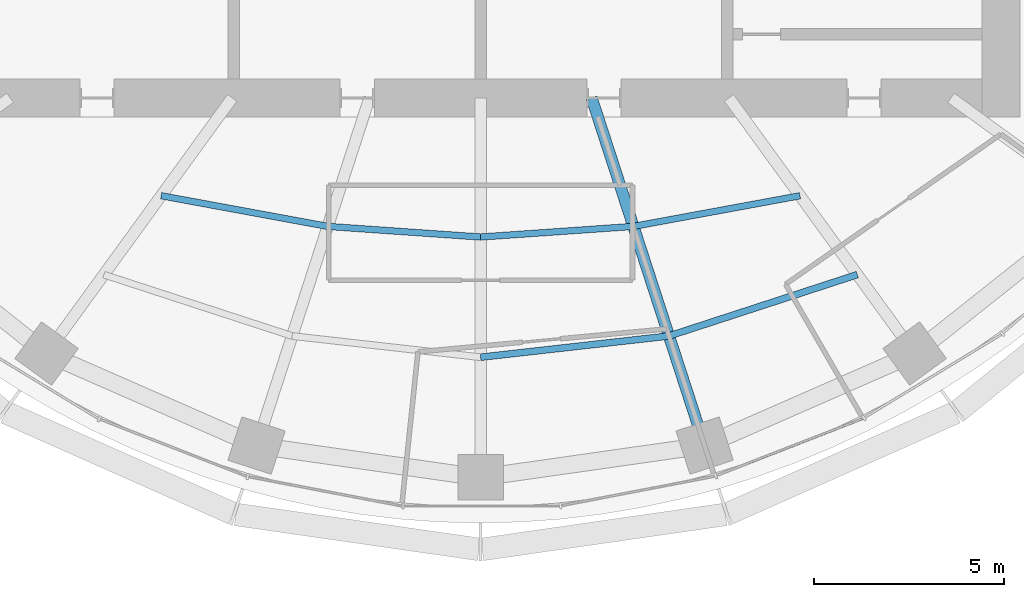
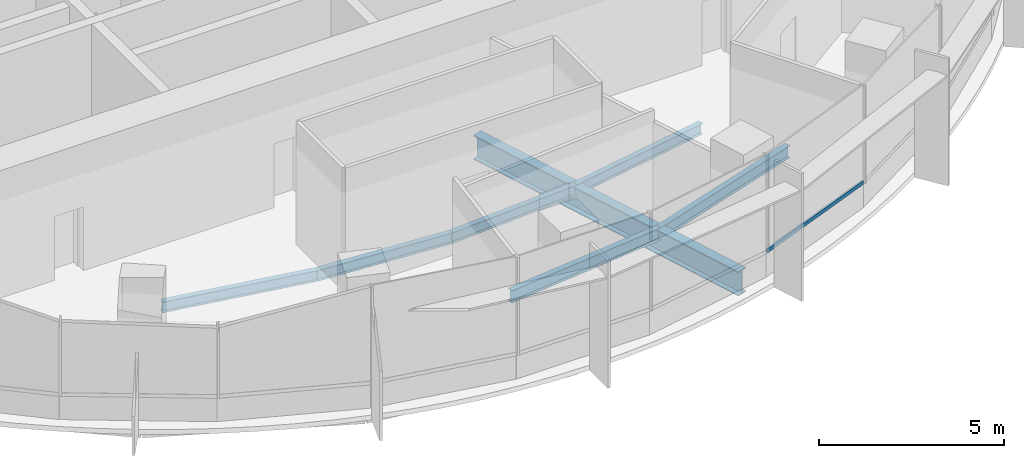
# One storey, part 3 of 13: 7 beams, 1 member, 1 element without a shape of its own.
"""IFC4 building model written with IfcOpenShell, lengths in metres."""

import ifcopenshell
import ifcopenshell.guid

model = None  # the IFC model being written
_history = None  # IfcOwnerHistory: only IFC2X3 demands one
_inside = {}  # id of a spatial element -> (the spatial element, [elements in it])
_under = {}  # id of a project, library or spatial element -> (it, [spatial elements below it])
_declared = {}  # id of a project -> (the project, [libraries it declares])
_typed = {}  # id of a type object -> (the type object, [elements of that type])
_made_of = {}  # id of a material, layer set ... -> (it, [elements and type objects made of it])


def new_model(schema):
    """Start an empty IFC model of exactly this schema.

    Asked for "IFC4X3", IfcOpenShell would pick the latest addendum, in which some entities
    have other attributes; the version numbers below select the first issue.
    IFC2X3 requires an IfcOwnerHistory on every rooted entity: one is made here for all.
    """
    global model, _history
    if schema == "IFC4X3":
        model = ifcopenshell.file(schema_version=(4, 3, 0, 0))
    else:
        model = ifcopenshell.file(schema=schema)
    _inside.clear()
    _under.clear()
    _declared.clear()
    _typed.clear()
    _made_of.clear()
    _history = None
    if model.schema == "IFC2X3":
        org = make("IfcOrganization", Name="unknown")
        user = make(
            "IfcPersonAndOrganization",
            ThePerson=make("IfcPerson", FamilyName="unknown"),
            TheOrganization=org,
        )
        app = make(
            "IfcApplication",
            ApplicationDeveloper=org,
            Version="unknown",
            ApplicationFullName="unknown",
            ApplicationIdentifier="unknown",
        )
        _history = make(
            "IfcOwnerHistory",
            OwningUser=user,
            OwningApplication=app,
            ChangeAction="ADDED",
            CreationDate=0,
        )
    return model


def make(cls, **values):
    """One entity of the class cls with the attributes given. An attribute that is None is left unset."""
    return model.create_entity(
        cls, **{name: value for name, value in values.items() if value is not None}
    )


def rooted(cls, **values):
    """An entity with a GlobalId (a new one), such as an element, a storey or a relation."""
    return make(cls, GlobalId=ifcopenshell.guid.new(), OwnerHistory=_history, **values)


def si_unit(unit_type, name, prefix=None):
    """IfcSIUnit, for example si_unit("LENGTHUNIT", "METRE", prefix="MILLI")."""
    return make("IfcSIUnit", UnitType=unit_type, Prefix=prefix, Name=name)


def assignment(units):
    """IfcUnitAssignment: the units of a project."""
    return None if units is None else make("IfcUnitAssignment", Units=units)


def point(xyz):
    """IfcCartesianPoint."""
    return None if xyz is None else make("IfcCartesianPoint", Coordinates=xyz)


def direction(xyz):
    """IfcDirection."""
    return None if xyz is None else make("IfcDirection", DirectionRatios=xyz)


def frame(location, z_axis=None, x_axis=None):
    """IfcAxis2Placement3D, a coordinate frame: its origin and axes. An axis left out is left unset."""
    return make(
        "IfcAxis2Placement3D",
        Location=point(location),
        Axis=direction(z_axis),
        RefDirection=direction(x_axis),
    )


def frame_2d(location, x_axis=None):
    """IfcAxis2Placement2D, a coordinate frame in the plane: its origin and x axis."""
    return make(
        "IfcAxis2Placement2D", Location=point(location), RefDirection=direction(x_axis)
    )


def origin():
    """The frame at (0, 0, 0) with its axes left unset."""
    return frame((0.0, 0.0, 0.0))


def origin_2d():
    """The frame at (0, 0) in the plane with its x axis left unset."""
    return frame_2d((0.0, 0.0))


def place(relative_to, where):
    """IfcLocalPlacement: puts the frame where relative to a parent placement (None: the world)."""
    return make(
        "IfcLocalPlacement", PlacementRelTo=relative_to, RelativePlacement=where
    )


def context(
    kind, dimensions, precision=None, world=None, true_north=None, identifier=None
):
    """IfcGeometricRepresentationContext, for example the 3D "Model" context."""
    return make(
        "IfcGeometricRepresentationContext",
        ContextIdentifier=identifier,
        ContextType=kind,
        CoordinateSpaceDimension=dimensions,
        Precision=precision,
        WorldCoordinateSystem=world,
        TrueNorth=true_north,
    )


def subcontext(parent, identifier, kind, view, scale=None):
    """IfcGeometricRepresentationSubContext, for example "Body" below "Model"."""
    return make(
        "IfcGeometricRepresentationSubContext",
        ContextIdentifier=identifier,
        ContextType=kind,
        ParentContext=parent,
        TargetScale=scale,
        TargetView=view,
    )


def project(units=None, contexts=None):
    """IfcProject with its units and contexts."""
    return rooted(
        "IfcProject",
        Name="project",
        RepresentationContexts=contexts,
        UnitsInContext=assignment(units),
    )


def spatial(cls, under=None, at=None, **own):
    """A site, building, storey or space (cls), placed at a placement, below another one or the project."""
    s = rooted(cls, ObjectPlacement=at, **own)
    if under is not None:
        _under.setdefault(under.id(), (under, []))[1].append(s)
    return s


def profile(cls, at=None, kind="AREA", **sizes):
    """A parametric profile (cls). Its sizes go by their IFC names, for example OverallWidth=200.0."""
    return make(cls, ProfileType=kind, Position=at, **sizes)


def rectangle(**sizes):
    """IfcRectangleProfileDef."""
    return profile("IfcRectangleProfileDef", **sizes)


def i_section(**sizes):
    """IfcIShapeProfileDef."""
    return profile("IfcIShapeProfileDef", **sizes)


def extrude(swept, where, along, depth):
    """IfcExtrudedAreaSolid: the profile swept, set in the frame where, extruded along a direction by depth."""
    return make(
        "IfcExtrudedAreaSolid",
        SweptArea=swept,
        Position=where,
        ExtrudedDirection=direction(along),
        Depth=depth,
    )


def shape(context_of_items, identifier, shape_type, items):
    """IfcShapeRepresentation: the items that make up one representation, for example the "Body"."""
    return make(
        "IfcShapeRepresentation",
        ContextOfItems=context_of_items,
        RepresentationIdentifier=identifier,
        RepresentationType=shape_type,
        Items=items,
    )


def material(Name=None, Category=None):
    """IfcMaterial."""
    return make("IfcMaterial", Name=Name, Category=Category)


def material_profile(
    of_material, cross_section, Name=None, Category=None, Priority=None
):
    """IfcMaterialProfile: a cross section and its material."""
    return make(
        "IfcMaterialProfile",
        Name=Name,
        Material=of_material,
        Profile=cross_section,
        Priority=Priority,
        Category=Category,
    )


def profile_set(profiles, Name=None, composite=None):
    """IfcMaterialProfileSet."""
    return make(
        "IfcMaterialProfileSet",
        Name=Name,
        MaterialProfiles=profiles,
        CompositeProfile=composite,
    )


def made_of(thing, what):
    """Note that an element or type object is made of a material, layer set ...; save() writes the relation."""
    if what is not None:
        _made_of.setdefault(what.id(), (what, []))[1].append(thing)
    return thing


def type_object(cls, material=None, **own):
    """A type object (cls), such as IfcWallType, which elements share."""
    return made_of(rooted(cls, **own), material)


def element(
    cls,
    number,
    at=None,
    inside=None,
    cuts=None,
    type_object=None,
    material=None,
    context=None,
    identifier="Body",
    shape_type=None,
    held_by="IfcProductDefinitionShape",
    body=None,
    shapes=None,
    **own,
):
    """One element of the class cls, such as IfcWall. Its Tag is "e" and its number.

    at: its placement. inside: the storey or other place that contains it. cuts: it is an
    opening in that element (IfcRelVoidsElement). A single representation is given by context,
    identifier, shape_type and body (its items); several are given by shapes. held_by: the class
    of the entity that holds the representations. save() writes the other relations.
    """
    e = rooted(cls, Tag="e%d" % number, ObjectPlacement=at, **own)
    if body is not None:
        shapes = [shape(context, identifier, shape_type, body)]
    if shapes is not None:
        e.Representation = make(held_by, Representations=shapes)
    if inside is not None:
        _inside.setdefault(inside.id(), (inside, []))[1].append(e)
    if cuts is not None:
        rooted(
            "IfcRelVoidsElement", RelatingBuildingElement=cuts, RelatedOpeningElement=e
        )
    if type_object is not None:
        _typed.setdefault(type_object.id(), (type_object, []))[1].append(e)
    return made_of(e, material)


def aggregate(whole, parts):
    """IfcRelAggregates: a whole, such as a stair, and the parts it consists of."""
    return rooted("IfcRelAggregates", RelatingObject=whole, RelatedObjects=parts)


def save(model, path):
    """Write the relations noted so far, then the file.

    IfcRelAggregates (storeys below a building ...), IfcRelContainedInSpatialStructure (elements
    in a storey), IfcRelDefinesByType, IfcRelAssociatesMaterial and IfcRelDeclares: one each for
    every whole, place, type object, material and project.
    """
    for whole, parts in _under.values():
        aggregate(whole, parts)
    for where, things in _inside.values():
        rooted(
            "IfcRelContainedInSpatialStructure",
            RelatedElements=things,
            RelatingStructure=where,
        )
    for kind, things in _typed.values():
        rooted("IfcRelDefinesByType", RelatedObjects=things, RelatingType=kind)
    for what, things in _made_of.values():
        rooted("IfcRelAssociatesMaterial", RelatedObjects=things, RelatingMaterial=what)
    for by, libraries in _declared.values():
        rooted("IfcRelDeclares", RelatingContext=by, RelatedDefinitions=libraries)
    model.write(path)


model = new_model("IFC4")

# Units and contexts
model_context = context("Model", 3, precision=1e-05, world=origin(), true_north=direction((0.0, 1.0)))
body_context = subcontext(model_context, "Body", "Model", "MODEL_VIEW")
ifc_project = project(units=[si_unit("LENGTHUNIT", "METRE"), si_unit("AREAUNIT", "SQUARE_METRE"), si_unit("VOLUMEUNIT", "CUBIC_METRE"), si_unit("PLANEANGLEUNIT", "RADIAN"), si_unit("MASSUNIT", "GRAM", prefix="KILO")], contexts=[model_context])

# Site, building, storey
site_placement = place(None, origin())
site = spatial("IfcSite", under=ifc_project, at=site_placement, CompositionType="ELEMENT")
building_placement = place(site_placement, origin())
building = spatial("IfcBuilding", under=site, at=building_placement, Name="Marramba Exchange Tower", CompositionType="ELEMENT")
storey_placement = place(building_placement, frame((0.0, 0.0, 260.199951171875)))
storey = spatial("IfcBuildingStorey", under=building, at=storey_placement, Name="L63", CompositionType="ELEMENT", Elevation=260.199951171875)

# Curtain wall, member
ifc_material_1 = material(Name="Aluminium framing, bronze anodised", Category="aluminium")
curtain_wall_type = type_object("IfcCurtainWallType", Name="Executive floor ribbon curtain wall", PredefinedType="USERDEFINED", material=ifc_material_1)
curtain_wall_placement = place(storey_placement, origin())
curtain_wall = element("IfcCurtainWall", 1, at=curtain_wall_placement, inside=storey, type_object=curtain_wall_type, Name="Curtain wall CW5 L63 F21-F25", ObjectType="RIBBON CURTAIN WALL", PredefinedType="USERDEFINED")
ifc_material_2 = material(Name="Aluminium transom, bronze anodised", Category="aluminium")
ifc_material_profile_1 = material_profile(ifc_material_2, rectangle(XDim=0.06005859375, YDim=0.1201171875, at=origin_2d()), Name="CW5 transom 60x120")
ifc_profile_set_1 = profile_set([ifc_material_profile_1], Name="Aluminium transom, bronze anodised")
member_type = type_object("IfcMemberType", Name="Executive floor ribbon curtain wall transom", PredefinedType="USERDEFINED", material=ifc_profile_set_1)
member_placement = place(storey_placement, frame((6.21826171875, -18.943603515625, 0.830078125), z_axis=(0.931790621773, 0.362996194438, 0.0), x_axis=(-0.362996194438, 0.931790621773, 0.0)))
member = element("IfcMember", 2, at=member_placement, type_object=member_type, Name="CW5 sill transom", ObjectType="TRANSOM", PredefinedType="USERDEFINED", context=body_context, shape_type="SweptSolid", body=[
    extrude(rectangle(XDim=0.06005859375, YDim=0.1201171875, at=origin_2d()), origin(), (0.0, 0.0, 1.0), 4.13427734375),
])
aggregate(curtain_wall, [member])

# Beams
ifc_material_3 = material(Name="Steel AS/NZS 3679.1 grade 300", Category="steel")
ifc_material_profile_2 = material_profile(ifc_material_3, i_section(OverallWidth=0.1708984375, OverallDepth=0.35595703125, WebThickness=0.00732421875, FlangeThickness=0.011474609375, FilletRadius=0.011474609375, at=origin_2d()), Name="360UB50.7")
ifc_profile_set_2 = profile_set([ifc_material_profile_2], Name="Steel AS/NZS 3679.1 grade 300")
beam_type_1 = type_object("IfcBeamType", Name="Floor joist 360UB50.7", PredefinedType="JOIST", material=ifc_profile_set_2)
beam_1_placement = place(storey_placement, frame((-8.41162109375, -11.57763671875, -0.337890625), z_axis=(0.983455754421, -0.181148500119, 0.0), x_axis=(0.181148500119, 0.983455754421, 0.0)))
element("IfcBeam", 3, at=beam_1_placement, inside=storey, type_object=beam_type_1, Name="Joist L63 bay 14 row 1", PredefinedType="JOIST", context=body_context, shape_type="SweptSolid", body=[
    extrude(i_section(OverallWidth=0.1708984375, OverallDepth=0.35595703125, WebThickness=0.00732421875, FlangeThickness=0.011474609375, FilletRadius=0.011474609375, at=origin_2d()), origin(), (0.0, 0.0, 1.0), 4.4609375),
])
for number, where, z_axis, x_axis, name in (
    (4, (-4.0244140625, -12.3857421875, -0.337890625), (0.99759625901, -0.069294328838, 0.0), (0.069294328838, 0.99759625901, 0.0), "Joist L63 bay 15 row 1"),
    (5, (0.0, -12.665283203125, -0.337890625), (0.99759625901, 0.069294328838, 0.0), (-0.069294328838, 0.99759625901, 0.0), "Joist L63 bay 16 row 1"),
):
    element("IfcBeam", number, at=place(storey_placement, frame(where, z_axis=z_axis, x_axis=x_axis)), inside=storey, type_object=beam_type_1, Name=name, PredefinedType="JOIST", context=body_context, shape_type="SweptSolid", body=[
        extrude(i_section(OverallWidth=0.1708984375, OverallDepth=0.35595703125, WebThickness=0.00732421875, FlangeThickness=0.011474609375, FilletRadius=0.011474609375, at=origin_2d()), origin(), (0.0, 0.0, 1.0), 4.0341796875),
    ])
beam_2_placement = place(storey_placement, frame((4.0244140625, -12.3857421875, -0.337890625), z_axis=(0.983455754421, 0.181148500119, 0.0), x_axis=(-0.181148500119, 0.983455754421, 0.0)))
element("IfcBeam", 6, at=beam_2_placement, inside=storey, type_object=beam_type_1, Name="Joist L63 bay 17 row 1", PredefinedType="JOIST", context=body_context, shape_type="SweptSolid", body=[
    extrude(i_section(OverallWidth=0.1708984375, OverallDepth=0.35595703125, WebThickness=0.00732421875, FlangeThickness=0.011474609375, FilletRadius=0.011474609375, at=origin_2d()), origin(), (0.0, 0.0, 1.0), 4.4609375),
])
ifc_material_profile_3 = material_profile(ifc_material_3, i_section(OverallWidth=0.177978515625, OverallDepth=0.403076171875, WebThickness=0.007568359375, FlangeThickness=0.010986328125, FilletRadius=0.011474609375, at=origin_2d()), Name="410UB53.7")
ifc_profile_set_3 = profile_set([ifc_material_profile_3], Name="Steel AS/NZS 3679.1 grade 300")
beam_type_2 = type_object("IfcBeamType", Name="Floor joist 410UB53.7", PredefinedType="JOIST", material=ifc_profile_set_3)
beam_3_placement = place(storey_placement, frame((0.0, -15.83056640625, -0.361572265625), z_axis=(0.993712018573, 0.111966174106, 0.0), x_axis=(-0.111966174106, 0.993712018573, 0.0)))
element("IfcBeam", 7, at=beam_3_placement, inside=storey, type_object=beam_type_2, Name="Joist L63 bay 16 row 2", PredefinedType="JOIST", context=body_context, shape_type="SweptSolid", body=[
    extrude(i_section(OverallWidth=0.177978515625, OverallDepth=0.403076171875, WebThickness=0.007568359375, FlangeThickness=0.010986328125, FilletRadius=0.011474609375, at=origin_2d()), origin(), (0.0, 0.0, 1.0), 4.993408203125),
])
beam_4_placement = place(storey_placement, frame((4.9619140625, -15.271484375, -0.361572265625), z_axis=(0.950764024931, 0.309915744834, 0.0), x_axis=(-0.309915744834, 0.950764024931, 0.0)))
element("IfcBeam", 8, at=beam_4_placement, inside=storey, type_object=beam_type_2, Name="Joist L63 bay 17 row 2", PredefinedType="JOIST", context=body_context, shape_type="SweptSolid", body=[
    extrude(i_section(OverallWidth=0.177978515625, OverallDepth=0.403076171875, WebThickness=0.007568359375, FlangeThickness=0.010986328125, FilletRadius=0.011474609375, at=origin_2d()), origin(), (0.0, 0.0, 1.0), 5.2158203125),
])
ifc_material_4 = material(Name="Steel AS/NZS 3679.2 grade 300", Category="steel")
ifc_material_profile_4 = material_profile(ifc_material_4, i_section(OverallWidth=0.300048828125, OverallDepth=0.800048828125, WebThickness=0.013916015625, FlangeThickness=0.031982421875, at=origin_2d()), Name="800WB192")
ifc_profile_set_4 = profile_set([ifc_material_profile_4], Name="Steel AS/NZS 3679.2 grade 300")
beam_type_3 = type_object("IfcBeamType", Name="Radial girder 800WB192", PredefinedType="BEAM", material=ifc_profile_set_4)
beam_5_placement = place(storey_placement, frame((2.92431640625, -9.0, -0.56005859375), z_axis=(0.309022428985, -0.951054750466, 0.0), x_axis=(0.951054750466, 0.309022428985, 0.0)))
element("IfcBeam", 9, at=beam_5_placement, inside=storey, type_object=beam_type_3, Name="Radial girder L63 TC17", PredefinedType="BEAM", context=body_context, shape_type="SweptSolid", body=[
    extrude(i_section(OverallWidth=0.300048828125, OverallDepth=0.800048828125, WebThickness=0.013916015625, FlangeThickness=0.031982421875, at=origin_2d()), origin(), (0.0, 0.0, 1.0), 9.628173828125),
])

save(model, "model.ifc")
